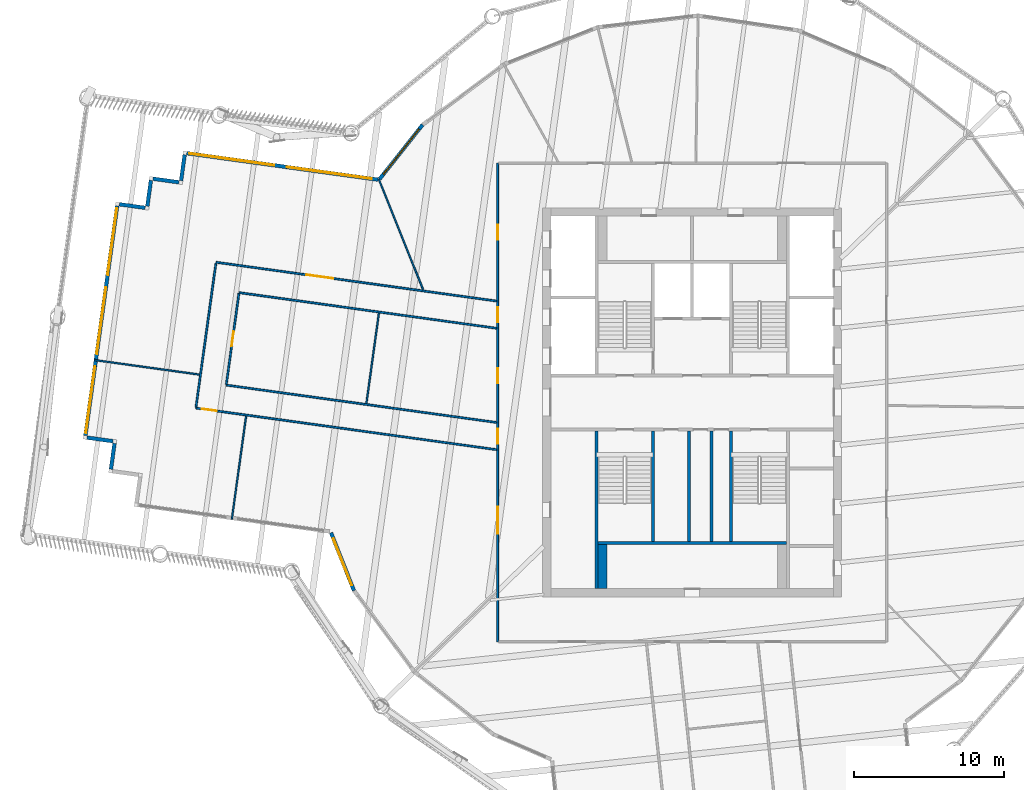
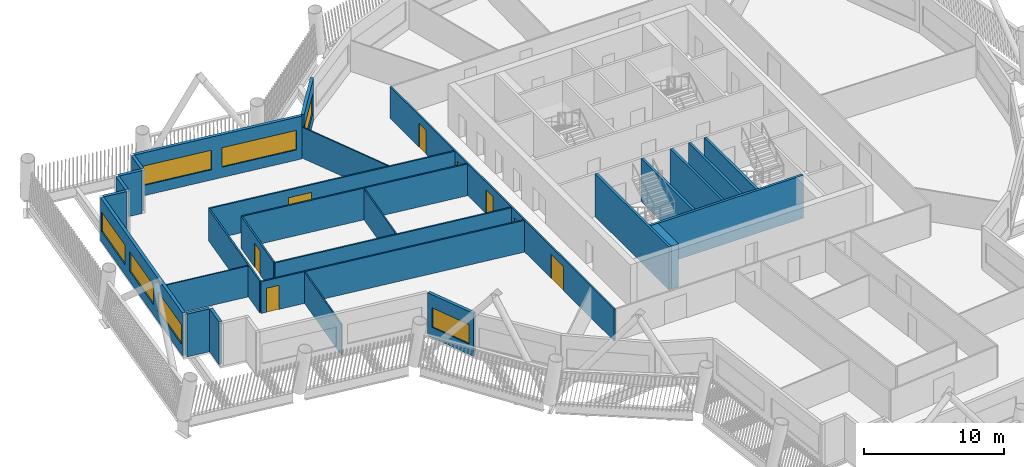
# One storey, part 4 of 21: 28 walls, 8 doors, 7 windows, 15 openings.
"""IFC4 building model written with IfcOpenShell, lengths in metres."""

from ifc_helpers import new_model, si_unit, direction, frame, frame_2d, origin, place, context, subcontext, project, spatial, rectangle, extrude, material, layer, layer_set, type_object, element, fill, save


model = new_model("IFC4")

# Units and contexts
model_context = context("Model", 3, precision=1e-05, world=origin(), true_north=direction((0.0, 1.0)))
body_context = subcontext(model_context, "Body", "Model", "MODEL_VIEW")
ifc_project = project(units=[si_unit("LENGTHUNIT", "METRE"), si_unit("AREAUNIT", "SQUARE_METRE"), si_unit("VOLUMEUNIT", "CUBIC_METRE"), si_unit("PLANEANGLEUNIT", "RADIAN"), si_unit("MASSUNIT", "GRAM", prefix="KILO")], contexts=[model_context])

# Site, building, storey
site_placement = place(None, origin())
site = spatial("IfcSite", under=ifc_project, at=site_placement, CompositionType="ELEMENT")
building_placement = place(site_placement, origin())
building = spatial("IfcBuilding", under=site, at=building_placement, Name="Tarsis Ring Headquarters", CompositionType="ELEMENT")
storey_placement = place(building_placement, frame((0.0, 0.0, 255.199951171875)))
storey = spatial("IfcBuildingStorey", under=building, at=storey_placement, Name="L59", CompositionType="ELEMENT", Elevation=255.199951171875)

# Walls
ifc_material_1 = material(Name="Blockwork", Category="masonry")
ifc_layer_1 = layer(ifc_material_1, 0.199951171875)
ifc_layer_set_1 = layer_set([ifc_layer_1], Name="Core blockwork wall 200")
wall_type_1 = type_object("IfcWallType", Name="Core blockwork wall 200", PredefinedType="PARTITIONING", material=ifc_layer_set_1)
for number, where, z_axis, x_axis, name in (
    (1, (-0.199951171875, -9.300048828125, 0.0), (0.0, 0.0, 1.0), (0.0, 1.0, 0.0), "Core partition SV1"),
    (2, (1.300048828125, -9.300048828125, 0.0), (0.0, 0.0, 1.0), (0.0, 1.0, 0.0), "Core partition SV2"),
):
    element("IfcWall", number, at=place(storey_placement, frame(where, z_axis=z_axis, x_axis=x_axis)), inside=storey, type_object=wall_type_1, Name=name, PredefinedType="PARTITIONING", context=body_context, shape_type="SweptSolid", body=[
        extrude(rectangle(XDim=7.400146484375, YDim=0.199951171875, at=frame_2d((3.7001953125, 0.0))), origin(), (0.0, 0.0, 1.0), 3.739990234375),
    ])
ifc_material_2 = material(Name="Gypsum board on steel studs", Category="steel")
ifc_layer_2 = layer(ifc_material_2, 0.10009765625)
ifc_layer_set_2 = layer_set([ifc_layer_2], Name="FL partition 100 unrated")
wall_type_2 = type_object("IfcWallType", Name="FL partition 100 unrated", PredefinedType="PARTITIONING", material=ifc_layer_set_2)
wall_1_placement = place(storey_placement, frame((-20.95263671875, 14.938720703125, 0.0), z_axis=(0.0, 0.0, 1.0), x_axis=(0.372503829115, -0.928030655364, 0.0)))
element("IfcWall", 3, at=wall_1_placement, inside=storey, type_object=wall_type_2, Name="Partition PW3", PredefinedType="PARTITIONING", context=body_context, shape_type="SweptSolid", body=[
    extrude(rectangle(XDim=7.976806640625, YDim=0.10009765625, at=frame_2d((3.98828125, 0.0))), origin(), (0.0, 0.0, 1.0), 2.699951171875),
])
wall_2_placement = place(storey_placement, frame((-39.938720703125, 2.832275390625, 0.0), z_axis=(0.0, 0.0, 1.0), x_axis=(0.990558165208, -0.137093111936, 0.0)))
element("IfcWall", 4, at=wall_2_placement, inside=storey, type_object=wall_type_2, Name="Partition PW3", PredefinedType="PARTITIONING", context=body_context, shape_type="SweptSolid", body=[
    extrude(rectangle(XDim=7.06982421875, YDim=0.10009765625, at=frame_2d((3.534912109375, 0.0))), origin(), (0.0, 0.0, 1.0), 2.699951171875),
])
wall_3_placement = place(storey_placement, frame((-30.7705078125, -7.80517578125, 0.0), z_axis=(0.0, 0.0, 1.0), x_axis=(0.137083692903, 0.990559468755, 0.0)))
element("IfcWall", 5, at=wall_3_placement, inside=storey, type_object=wall_type_2, Name="Partition PW3", PredefinedType="PARTITIONING", context=body_context, shape_type="SweptSolid", body=[
    extrude(rectangle(XDim=6.9599609375, YDim=0.10009765625, at=frame_2d((3.47998046875, 0.0))), origin(), (0.0, 0.0, 1.0), 2.699951171875),
])
wall_4_placement = place(storey_placement, frame((-21.774658203125, -0.0654296875, 0.0), z_axis=(0.0, 0.0, 1.0), x_axis=(0.137116809559, 0.990554885171, 0.0)))
element("IfcWall", 6, at=wall_4_placement, inside=storey, type_object=wall_type_2, Name="Partition PW3", PredefinedType="PARTITIONING", context=body_context, shape_type="SweptSolid", body=[
    extrude(rectangle(XDim=6.10009765625, YDim=0.10009765625, at=frame_2d((3.050048828125, 0.0))), origin(), (0.0, 0.0, 1.0), 2.699951171875),
])

# Wall, openings, doors
ifc_layer_3 = layer(ifc_material_2, 0.125)
ifc_layer_set_3 = layer_set([ifc_layer_3], Name="FL partition 125 EI 60 H2770")
wall_type_3 = type_object("IfcWallType", Name="FL partition 125 EI 60 H2770", PredefinedType="PARTITIONING", material=ifc_layer_set_3)
wall_5_placement = place(storey_placement, frame((-13.0, -16.0, 0.0), z_axis=(0.0, 0.0, 1.0), x_axis=(0.0, 1.0, 0.0)))
wall_5 = element("IfcWall", 7, at=wall_5_placement, inside=storey, type_object=wall_type_3, Name="Partition PW1", PredefinedType="PARTITIONING", context=body_context, shape_type="SweptSolid", body=[
    extrude(rectangle(XDim=32.0, YDim=0.125, at=frame_2d((16.0, 0.0))), origin(), (0.0, 0.0, 1.0), 2.77001953125),
])
opening_1_placement = place(wall_5_placement, frame((26.883056640625, 0.0, 0.0)))
opening_1 = element("IfcOpeningElement", 8, at=opening_1_placement, cuts=wall_5, Name="Opening D59.03", PredefinedType="OPENING", context=body_context, shape_type="SweptSolid", body=[
    extrude(rectangle(XDim=1.0, YDim=2.10009765625, at=frame_2d((0.5, 1.050048828125))), frame((0.0, 0.072509765625, 0.0), z_axis=(0.0, -1.0, 0.0), x_axis=(1.0, 0.0, 0.0)), (0.0, 0.0, 1.0), 0.14501953125),
])
opening_2_placement = place(wall_5_placement, frame((7.212890625, 0.0, 0.0)))
opening_2 = element("IfcOpeningElement", 9, at=opening_2_placement, cuts=wall_5, Name="Opening D59.12", PredefinedType="OPENING", context=body_context, shape_type="SweptSolid", body=[
    extrude(rectangle(XDim=1.800048828125, YDim=2.10009765625, at=frame_2d((0.89990234375, 1.050048828125))), frame((0.0, 0.072509765625, 0.0), z_axis=(0.0, -1.0, 0.0), x_axis=(1.0, 0.0, 0.0)), (0.0, 0.0, 1.0), 0.14501953125),
])
opening_3_placement = place(wall_5_placement, frame((17.29931640625, 0.0, 0.0)))
opening_3 = element("IfcOpeningElement", 10, at=opening_3_placement, cuts=wall_5, Name="Opening D59.13", PredefinedType="OPENING", context=body_context, shape_type="SweptSolid", body=[
    extrude(rectangle(XDim=1.0, YDim=2.10009765625, at=frame_2d((0.5, 1.050048828125))), frame((0.0, 0.072509765625, 0.0), z_axis=(0.0, -1.0, 0.0), x_axis=(1.0, 0.0, 0.0)), (0.0, 0.0, 1.0), 0.14501953125),
])
opening_4_placement = place(wall_5_placement, frame((13.240966796875, 0.0, 0.0)))
opening_4 = element("IfcOpeningElement", 11, at=opening_4_placement, cuts=wall_5, Name="Opening D59.19", PredefinedType="OPENING", context=body_context, shape_type="SweptSolid", body=[
    extrude(rectangle(XDim=1.0, YDim=2.10009765625, at=frame_2d((0.5, 1.050048828125))), frame((0.0, 0.072509765625, 0.0), z_axis=(0.0, -1.0, 0.0), x_axis=(1.0, 0.0, 0.0)), (0.0, 0.0, 1.0), 0.14501953125),
])
opening_5_placement = place(wall_5_placement, frame((21.357666015625, 0.0, 0.0)))
opening_5 = element("IfcOpeningElement", 12, at=opening_5_placement, cuts=wall_5, Name="Opening D59.20", PredefinedType="OPENING", context=body_context, shape_type="SweptSolid", body=[
    extrude(rectangle(XDim=1.0, YDim=2.10009765625, at=frame_2d((0.5, 1.050048828125))), frame((0.0, 0.072509765625, 0.0), z_axis=(0.0, -1.0, 0.0), x_axis=(1.0, 0.0, 0.0)), (0.0, 0.0, 1.0), 0.14501953125),
])
ifc_material_3 = material(Name="Fire-rated timber door leaf in steel frame", Category="steel")
door_type_1 = type_object("IfcDoorType", Name="FL door FD60-1000", OperationType="NOTDEFINED", PredefinedType="DOOR", material=ifc_material_3)
door_1_placement = place(opening_1_placement, origin())
door_1 = element("IfcDoor", 13, at=door_1_placement, inside=storey, type_object=door_type_1, Name="Door D59.03", OperationType="SINGLE_SWING_RIGHT", OverallHeight=2.10009765625, OverallWidth=1.0, PredefinedType="DOOR", context=body_context, shape_type="SweptSolid", body=[
    extrude(rectangle(XDim=1.0, YDim=2.10009765625, at=frame_2d((0.5, 1.050048828125))), frame((0.0, 0.02490234375, 0.0), z_axis=(0.0, -1.0, 0.0), x_axis=(1.0, 0.0, 0.0)), (0.0, 0.0, 1.0), 0.050048828125),
])
fill(opening_1, door_1)
door_2_placement = place(opening_3_placement, origin())
door_2 = element("IfcDoor", 14, at=door_2_placement, inside=storey, type_object=door_type_1, Name="Door D59.13", OperationType="SINGLE_SWING_RIGHT", OverallHeight=2.10009765625, OverallWidth=1.0, PredefinedType="DOOR", context=body_context, shape_type="SweptSolid", body=[
    extrude(rectangle(XDim=1.0, YDim=2.10009765625, at=frame_2d((0.5, 1.050048828125))), frame((0.0, 0.02490234375, 0.0), z_axis=(0.0, -1.0, 0.0), x_axis=(1.0, 0.0, 0.0)), (0.0, 0.0, 1.0), 0.050048828125),
])
fill(opening_3, door_2)
door_3_placement = place(opening_4_placement, origin())
door_3 = element("IfcDoor", 15, at=door_3_placement, inside=storey, type_object=door_type_1, Name="Door D59.19", OperationType="SINGLE_SWING_RIGHT", OverallHeight=2.10009765625, OverallWidth=1.0, PredefinedType="DOOR", context=body_context, shape_type="SweptSolid", body=[
    extrude(rectangle(XDim=1.0, YDim=2.10009765625, at=frame_2d((0.5, 1.050048828125))), frame((0.0, 0.02490234375, 0.0), z_axis=(0.0, -1.0, 0.0), x_axis=(1.0, 0.0, 0.0)), (0.0, 0.0, 1.0), 0.050048828125),
])
fill(opening_4, door_3)
door_4_placement = place(opening_5_placement, origin())
door_4 = element("IfcDoor", 16, at=door_4_placement, inside=storey, type_object=door_type_1, Name="Door D59.20", OperationType="SINGLE_SWING_LEFT", OverallHeight=2.10009765625, OverallWidth=1.0, PredefinedType="DOOR", context=body_context, shape_type="SweptSolid", body=[
    extrude(rectangle(XDim=1.0, YDim=2.10009765625, at=frame_2d((0.5, 1.050048828125))), frame((0.0, 0.02490234375, 0.0), z_axis=(0.0, -1.0, 0.0), x_axis=(1.0, 0.0, 0.0)), (0.0, 0.0, 1.0), 0.050048828125),
])
fill(opening_5, door_4)
door_type_2 = type_object("IfcDoorType", Name="FL door FD60-1800", OperationType="DOUBLE_DOOR_SINGLE_SWING", PredefinedType="DOOR", material=ifc_material_3)
door_5_placement = place(opening_2_placement, origin())
door_5 = element("IfcDoor", 17, at=door_5_placement, inside=storey, type_object=door_type_2, Name="Door D59.12", OperationType="DOUBLE_DOOR_SINGLE_SWING", OverallHeight=2.10009765625, OverallWidth=1.800048828125, PredefinedType="DOOR", context=body_context, shape_type="SweptSolid", body=[
    extrude(rectangle(XDim=1.800048828125, YDim=2.10009765625, at=frame_2d((0.89990234375, 1.050048828125))), frame((0.0, 0.02490234375, 0.0), z_axis=(0.0, -1.0, 0.0), x_axis=(1.0, 0.0, 0.0)), (0.0, 0.0, 1.0), 0.050048828125),
])
fill(opening_2, door_5)

# Wall, opening, door
wall_6_placement = place(storey_placement, frame((-33.1748046875, -0.375244140625, 0.0), z_axis=(0.0, 0.0, 1.0), x_axis=(0.990557357158, -0.137098950322, 0.0)))
wall_6 = element("IfcWall", 18, at=wall_6_placement, inside=storey, type_object=wall_type_3, Name="Partition PW1", PredefinedType="PARTITIONING", context=body_context, shape_type="SweptSolid", body=[
    extrude(rectangle(XDim=20.297119140625, YDim=0.125, at=frame_2d((10.1484375, 0.0))), origin(), (0.0, 0.0, 1.0), 2.77001953125),
])
opening_6_placement = place(wall_6_placement, frame((0.39990234375, 0.0, 0.0)))
opening_6 = element("IfcOpeningElement", 19, at=opening_6_placement, cuts=wall_6, Name="Opening D59.01", PredefinedType="OPENING", context=body_context, shape_type="SweptSolid", body=[
    extrude(rectangle(XDim=1.0, YDim=2.10009765625, at=frame_2d((0.5, 1.050048828125))), frame((0.0, 0.072509765625, 0.0), z_axis=(0.0, -1.0, 0.0), x_axis=(1.0, 0.0, 0.0)), (0.0, 0.0, 1.0), 0.14501953125),
])
door_6_placement = place(opening_6_placement, origin())
door_6 = element("IfcDoor", 20, at=door_6_placement, inside=storey, type_object=door_type_1, Name="Door D59.01", OperationType="SINGLE_SWING_RIGHT", OverallHeight=2.10009765625, OverallWidth=1.0, PredefinedType="DOOR", context=body_context, shape_type="SweptSolid", body=[
    extrude(rectangle(XDim=1.0, YDim=2.10009765625, at=frame_2d((0.5, 1.050048828125))), frame((0.0, 0.02490234375, 0.0), z_axis=(0.0, -1.0, 0.0), x_axis=(1.0, 0.0, 0.0)), (0.0, 0.0, 1.0), 0.050048828125),
])
fill(opening_6, door_6)

wall_7_placement = place(storey_placement, frame((-31.82568359375, 9.371826171875, 0.0), z_axis=(0.0, 0.0, 1.0), x_axis=(0.990557653383, -0.137096810044, 0.0)))
wall_7 = element("IfcWall", 21, at=wall_7_placement, inside=storey, type_object=wall_type_3, Name="Partition PW1", PredefinedType="PARTITIONING", context=body_context, shape_type="SweptSolid", body=[
    extrude(rectangle(XDim=18.93505859375, YDim=0.125, at=frame_2d((9.467529296875, 0.0))), origin(), (0.0, 0.0, 1.0), 2.77001953125),
])
opening_7_placement = place(wall_7_placement, frame((6.10400390625, 0.0, 0.0)))
opening_7 = element("IfcOpeningElement", 22, at=opening_7_placement, cuts=wall_7, Name="Opening D59.02", PredefinedType="OPENING", context=body_context, shape_type="SweptSolid", body=[
    extrude(rectangle(XDim=1.800048828125, YDim=2.10009765625, at=frame_2d((0.89990234375, 1.050048828125))), frame((0.0, 0.072509765625, 0.0), z_axis=(0.0, -1.0, 0.0), x_axis=(1.0, 0.0, 0.0)), (0.0, 0.0, 1.0), 0.14501953125),
])
door_7_placement = place(opening_7_placement, origin())
door_7 = element("IfcDoor", 23, at=door_7_placement, inside=storey, type_object=door_type_2, Name="Door D59.02", OperationType="DOUBLE_DOOR_SINGLE_SWING", OverallHeight=2.10009765625, OverallWidth=1.800048828125, PredefinedType="DOOR", context=body_context, shape_type="SweptSolid", body=[
    extrude(rectangle(XDim=1.800048828125, YDim=2.10009765625, at=frame_2d((0.89990234375, 1.050048828125))), frame((0.0, 0.02490234375, 0.0), z_axis=(0.0, -1.0, 0.0), x_axis=(1.0, 0.0, 0.0)), (0.0, 0.0, 1.0), 0.050048828125),
])
fill(opening_7, door_7)

# Walls
wall_8_placement = place(storey_placement, frame((-31.14501953125, 1.160888671875, 0.0), z_axis=(0.0, 0.0, 1.0), x_axis=(0.990557890635, -0.137095095834, 0.0)))
element("IfcWall", 24, at=wall_8_placement, inside=storey, type_object=wall_type_3, Name="Partition PW1", PredefinedType="PARTITIONING", context=body_context, shape_type="SweptSolid", body=[
    extrude(rectangle(XDim=18.248046875, YDim=0.125, at=frame_2d((9.1240234375, 0.0))), origin(), (0.0, 0.0, 1.0), 2.77001953125),
])
wall_9_placement = place(storey_placement, frame((-30.289306640625, 7.342041015625, 0.0), z_axis=(0.0, 0.0, 1.0), x_axis=(0.990555795182, -0.137110235328, 0.0)))
element("IfcWall", 25, at=wall_9_placement, inside=storey, type_object=wall_type_3, Name="Partition PW1", PredefinedType="PARTITIONING", context=body_context, shape_type="SweptSolid", body=[
    extrude(rectangle(XDim=17.384033203125, YDim=0.125, at=frame_2d((8.69189453125, 0.0))), origin(), (0.0, 0.0, 1.0), 2.77001953125),
])
wall_10_placement = place(storey_placement, frame((-33.16650390625, -0.31591796875, 0.0), z_axis=(0.0, 0.0, 1.0), x_axis=(0.137091256119, 0.990558422051, 0.0)))
element("IfcWall", 26, at=wall_10_placement, inside=storey, type_object=wall_type_3, Name="Partition PW1", PredefinedType="PARTITIONING", context=body_context, shape_type="SweptSolid", body=[
    extrude(rectangle(XDim=9.719970703125, YDim=0.125, at=frame_2d((4.85986328125, 0.0))), origin(), (0.0, 0.0, 1.0), 2.77001953125),
])

# Wall, opening, door
wall_11_placement = place(storey_placement, frame((-31.13671875, 1.22021484375, 0.0), z_axis=(0.0, 0.0, 1.0), x_axis=(0.137108497238, 0.990556035762, 0.0)))
wall_11 = element("IfcWall", 27, at=wall_11_placement, inside=storey, type_object=wall_type_3, Name="Partition PW1", PredefinedType="PARTITIONING", context=body_context, shape_type="SweptSolid", body=[
    extrude(rectangle(XDim=6.1201171875, YDim=0.125, at=frame_2d((3.06005859375, 0.0))), origin(), (0.0, 0.0, 1.0), 2.77001953125),
])
opening_8_placement = place(wall_11_placement, frame((2.56005859375, 0.0, 0.0)))
opening_8 = element("IfcOpeningElement", 28, at=opening_8_placement, cuts=wall_11, Name="Opening D59.14", PredefinedType="OPENING", context=body_context, shape_type="SweptSolid", body=[
    extrude(rectangle(XDim=1.0, YDim=2.10009765625, at=frame_2d((0.5, 1.050048828125))), frame((0.0, 0.072509765625, 0.0), z_axis=(0.0, -1.0, 0.0), x_axis=(1.0, 0.0, 0.0)), (0.0, 0.0, 1.0), 0.14501953125),
])
door_8_placement = place(opening_8_placement, origin())
door_8 = element("IfcDoor", 29, at=door_8_placement, inside=storey, type_object=door_type_1, Name="Door D59.14", OperationType="SINGLE_SWING_LEFT", OverallHeight=2.10009765625, OverallWidth=1.0, PredefinedType="DOOR", context=body_context, shape_type="SweptSolid", body=[
    extrude(rectangle(XDim=1.0, YDim=2.10009765625, at=frame_2d((0.5, 1.050048828125))), frame((0.0, 0.02490234375, 0.0), z_axis=(0.0, -1.0, 0.0), x_axis=(1.0, 0.0, 0.0)), (0.0, 0.0, 1.0), 0.050048828125),
])
fill(opening_8, door_8)

# Wall, opening, window
ifc_material_4 = material(Name="Terracotta clad insulated panel wall", Category="masonry")
ifc_layer_4 = layer(ifc_material_4, 0.25)
ifc_layer_set_4 = layer_set([ifc_layer_4], Name="Facade wall terracotta panel 250")
wall_type_4 = type_object("IfcWallType", Name="Facade wall terracotta panel 250", PredefinedType="STANDARD", material=ifc_layer_set_4)
wall_12_placement = place(storey_placement, frame((-24.141357421875, -8.7109375, 0.0), z_axis=(0.0, 0.0, 1.0), x_axis=(0.368432360109, -0.929654557362, 0.0)))
wall_12 = element("IfcWall", 30, at=wall_12_placement, inside=storey, type_object=wall_type_4, Name="External wall L59-02", PredefinedType="STANDARD", context=body_context, shape_type="SweptSolid", body=[
    extrude(rectangle(XDim=4.157470703125, YDim=0.25, at=frame_2d((2.07861328125, 0.0))), origin(), (0.0, 0.0, 1.0), 3.739990234375),
])
opening_9_placement = place(wall_12_placement, frame((0.420166015625, 0.0, 0.89990234375)))
opening_9 = element("IfcOpeningElement", 31, at=opening_9_placement, cuts=wall_12, Name="Opening WN01", PredefinedType="OPENING", context=body_context, shape_type="SweptSolid", body=[
    extrude(rectangle(XDim=3.35009765625, YDim=1.699951171875, at=frame_2d((1.675048828125, 0.85009765625))), frame((0.0, 0.135009765625, 0.0), z_axis=(0.0, -1.0, 0.0), x_axis=(1.0, 0.0, 0.0)), (0.0, 0.0, 1.0), 0.27001953125),
])
ifc_material_5 = material(Name="Aluminium framed double glazing", Category="aluminium")
window_type_1 = type_object("IfcWindowType", Name="Facade window 3350 x 1700", PartitioningType="SINGLE_PANEL", PredefinedType="WINDOW", material=ifc_material_5)
window_1_placement = place(opening_9_placement, origin())
window_1 = element("IfcWindow", 32, at=window_1_placement, inside=storey, type_object=window_type_1, Name="Window L59-02.1", OverallHeight=1.699951171875, OverallWidth=3.35009765625, PartitioningType="SINGLE_PANEL", PredefinedType="WINDOW", context=body_context, shape_type="SweptSolid", body=[
    extrude(rectangle(XDim=3.35009765625, YDim=1.699951171875, at=frame_2d((1.675048828125, 0.85009765625))), frame((0.0, 0.030029296875, 0.0), z_axis=(0.0, -1.0, 0.0), x_axis=(1.0, 0.0, 0.0)), (0.0, 0.0, 1.0), 0.06005859375),
])
fill(opening_9, window_1)

wall_13_placement = place(storey_placement, frame((-18.022705078125, 18.5615234375, 0.0), z_axis=(0.0, 0.0, 1.0), x_axis=(-0.620896572494, -0.783892496625, 0.0)))
wall_13 = element("IfcWall", 33, at=wall_13_placement, inside=storey, type_object=wall_type_4, Name="External wall L59-30", PredefinedType="STANDARD", context=body_context, shape_type="SweptSolid", body=[
    extrude(rectangle(XDim=4.617919921875, YDim=0.25, at=frame_2d((2.30908203125, 0.0))), origin(), (0.0, 0.0, 1.0), 3.739990234375),
])
opening_10_placement = place(wall_13_placement, frame((0.367431640625, 0.0, 0.89990234375)))
opening_10 = element("IfcOpeningElement", 34, at=opening_10_placement, cuts=wall_13, Name="Opening WN02", PredefinedType="OPENING", context=body_context, shape_type="SweptSolid", body=[
    extrude(rectangle(XDim=3.85009765625, YDim=1.699951171875, at=frame_2d((1.925048828125, 0.85009765625))), frame((0.0, 0.135009765625, 0.0), z_axis=(0.0, -1.0, 0.0), x_axis=(1.0, 0.0, 0.0)), (0.0, 0.0, 1.0), 0.27001953125),
])
window_type_2 = type_object("IfcWindowType", Name="Facade window 3850 x 1700", PartitioningType="SINGLE_PANEL", PredefinedType="WINDOW", material=ifc_material_5)
window_2_placement = place(opening_10_placement, origin())
window_2 = element("IfcWindow", 35, at=window_2_placement, inside=storey, type_object=window_type_2, Name="Window L59-30.1", OverallHeight=1.699951171875, OverallWidth=3.85009765625, PartitioningType="SINGLE_PANEL", PredefinedType="WINDOW", context=body_context, shape_type="SweptSolid", body=[
    extrude(rectangle(XDim=3.85009765625, YDim=1.699951171875, at=frame_2d((1.925048828125, 0.85009765625))), frame((0.0, 0.030029296875, 0.0), z_axis=(0.0, -1.0, 0.0), x_axis=(1.0, 0.0, 0.0)), (0.0, 0.0, 1.0), 0.06005859375),
])
fill(opening_10, window_2)

# Wall, openings, windows
wall_14_placement = place(storey_placement, frame((-21.0048828125, 14.8955078125, 0.0), z_axis=(0.0, 0.0, 1.0), x_axis=(-0.990559554655, 0.137083072193, 0.0)))
wall_14 = element("IfcWall", 36, at=wall_14_placement, inside=storey, type_object=wall_type_4, Name="External wall L59-31", PredefinedType="STANDARD", context=body_context, shape_type="SweptSolid", body=[
    extrude(rectangle(XDim=12.9013671875, YDim=0.25, at=frame_2d((6.45068359375, 0.0))), origin(), (0.0, 0.0, 1.0), 3.739990234375),
])
opening_11_placement = place(wall_14_placement, frame((0.412841796875, 0.0, 0.89990234375)))
opening_11 = element("IfcOpeningElement", 37, at=opening_11_placement, cuts=wall_14, Name="Opening WN06", PredefinedType="OPENING", context=body_context, shape_type="SweptSolid", body=[
    extrude(rectangle(XDim=5.75, YDim=1.699951171875, at=frame_2d((2.875, 0.85009765625))), frame((0.0, 0.135009765625, 0.0), z_axis=(0.0, -1.0, 0.0), x_axis=(1.0, 0.0, 0.0)), (0.0, 0.0, 1.0), 0.27001953125),
])
opening_12_placement = place(wall_14_placement, frame((6.988525390625, 0.0, 0.89990234375)))
opening_12 = element("IfcOpeningElement", 38, at=opening_12_placement, cuts=wall_14, Name="Opening WN06", PredefinedType="OPENING", context=body_context, shape_type="SweptSolid", body=[
    extrude(rectangle(XDim=5.75, YDim=1.699951171875, at=frame_2d((2.875, 0.85009765625))), frame((0.0, 0.135009765625, 0.0), z_axis=(0.0, -1.0, 0.0), x_axis=(1.0, 0.0, 0.0)), (0.0, 0.0, 1.0), 0.27001953125),
])
window_type_3 = type_object("IfcWindowType", Name="Facade window 5750 x 1700", PartitioningType="SINGLE_PANEL", PredefinedType="WINDOW", material=ifc_material_5)
window_3_placement = place(opening_11_placement, origin())
window_3 = element("IfcWindow", 39, at=window_3_placement, inside=storey, type_object=window_type_3, Name="Window L59-31.1", OverallHeight=1.699951171875, OverallWidth=5.75, PartitioningType="SINGLE_PANEL", PredefinedType="WINDOW", context=body_context, shape_type="SweptSolid", body=[
    extrude(rectangle(XDim=5.75, YDim=1.699951171875, at=frame_2d((2.875, 0.85009765625))), frame((0.0, 0.030029296875, 0.0), z_axis=(0.0, -1.0, 0.0), x_axis=(1.0, 0.0, 0.0)), (0.0, 0.0, 1.0), 0.06005859375),
])
fill(opening_11, window_3)
window_4_placement = place(opening_12_placement, origin())
window_4 = element("IfcWindow", 40, at=window_4_placement, inside=storey, type_object=window_type_3, Name="Window L59-31.2", OverallHeight=1.699951171875, OverallWidth=5.75, PartitioningType="SINGLE_PANEL", PredefinedType="WINDOW", context=body_context, shape_type="SweptSolid", body=[
    extrude(rectangle(XDim=5.75, YDim=1.699951171875, at=frame_2d((2.875, 0.85009765625))), frame((0.0, 0.030029296875, 0.0), z_axis=(0.0, -1.0, 0.0), x_axis=(1.0, 0.0, 0.0)), (0.0, 0.0, 1.0), 0.06005859375),
])
fill(opening_12, window_4)

# Walls
wall_15_placement = place(storey_placement, frame((-33.92529296875, 16.557373046875, 0.0), z_axis=(0.0, 0.0, 1.0), x_axis=(-0.137142528477, -0.990551324709, 0.0)))
element("IfcWall", 41, at=wall_15_placement, inside=storey, type_object=wall_type_4, Name="External wall L59-32", PredefinedType="STANDARD", context=body_context, shape_type="SweptSolid", body=[
    extrude(rectangle(XDim=1.75, YDim=0.25, at=frame_2d((0.875, 0.0))), origin(), (0.0, 0.0, 1.0), 3.739990234375),
])
wall_16_placement = place(storey_placement, frame((-34.30615234375, 14.71728515625, 0.0), z_axis=(0.0, 0.0, 1.0), x_axis=(-0.99055394816, 0.137123578516, 0.0)))
element("IfcWall", 42, at=wall_16_placement, inside=storey, type_object=wall_type_4, Name="External wall L59-33", PredefinedType="STANDARD", context=body_context, shape_type="SweptSolid", body=[
    extrude(rectangle(XDim=1.750244140625, YDim=0.25, at=frame_2d((0.875, 0.0))), origin(), (0.0, 0.0, 1.0), 3.739990234375),
])
for number, where, z_axis, x_axis, name in (
    (43, (-36.1806640625, 14.8505859375, 0.0), (0.0, 0.0, 1.0), (-0.137142528477, -0.990551324709, 0.0), "External wall L59-34"),
    (44, (-36.5615234375, 13.010498046875, 0.0), (0.0, 0.0, 1.0), (-0.990570268167, 0.137005634273, 0.0), "External wall L59-35"),
):
    element("IfcWall", number, at=place(storey_placement, frame(where, z_axis=z_axis, x_axis=x_axis)), inside=storey, type_object=wall_type_4, Name=name, PredefinedType="STANDARD", context=body_context, shape_type="SweptSolid", body=[
        extrude(rectangle(XDim=1.75, YDim=0.25, at=frame_2d((0.875, 0.0))), origin(), (0.0, 0.0, 1.0), 3.739990234375),
    ])

# Wall, openings, windows
wall_17_placement = place(storey_placement, frame((-38.43603515625, 13.1435546875, 0.0), z_axis=(0.0, 0.0, 1.0), x_axis=(-0.137097896362, -0.990557503032, 0.0)))
wall_17 = element("IfcWall", 45, at=wall_17_placement, inside=storey, type_object=wall_type_4, Name="External wall L59-36", PredefinedType="STANDARD", context=body_context, shape_type="SweptSolid", body=[
    extrude(rectangle(XDim=15.499755859375, YDim=0.25, at=frame_2d((7.75, 0.0))), origin(), (0.0, 0.0, 1.0), 3.739990234375),
])
opening_13_placement = place(wall_17_placement, frame((0.166748046875, 0.0, 0.89990234375)))
opening_13 = element("IfcOpeningElement", 46, at=opening_13_placement, cuts=wall_17, Name="Opening WN04", PredefinedType="OPENING", context=body_context, shape_type="SweptSolid", body=[
    extrude(rectangle(XDim=4.5, YDim=1.699951171875, at=frame_2d((2.25, 0.85009765625))), frame((0.0, 0.135009765625, 0.0), z_axis=(0.0, -1.0, 0.0), x_axis=(1.0, 0.0, 0.0)), (0.0, 0.0, 1.0), 0.27001953125),
])
opening_14_placement = place(wall_17_placement, frame((5.5, 0.0, 0.89990234375)))
opening_14 = element("IfcOpeningElement", 47, at=opening_14_placement, cuts=wall_17, Name="Opening WN04", PredefinedType="OPENING", context=body_context, shape_type="SweptSolid", body=[
    extrude(rectangle(XDim=4.5, YDim=1.699951171875, at=frame_2d((2.25, 0.85009765625))), frame((0.0, 0.135009765625, 0.0), z_axis=(0.0, -1.0, 0.0), x_axis=(1.0, 0.0, 0.0)), (0.0, 0.0, 1.0), 0.27001953125),
])
opening_15_placement = place(wall_17_placement, frame((10.833251953125, 0.0, 0.89990234375)))
opening_15 = element("IfcOpeningElement", 48, at=opening_15_placement, cuts=wall_17, Name="Opening WN04", PredefinedType="OPENING", context=body_context, shape_type="SweptSolid", body=[
    extrude(rectangle(XDim=4.5, YDim=1.699951171875, at=frame_2d((2.25, 0.85009765625))), frame((0.0, 0.135009765625, 0.0), z_axis=(0.0, -1.0, 0.0), x_axis=(1.0, 0.0, 0.0)), (0.0, 0.0, 1.0), 0.27001953125),
])
window_type_4 = type_object("IfcWindowType", Name="Facade window 4500 x 1700", PartitioningType="SINGLE_PANEL", PredefinedType="WINDOW", material=ifc_material_5)
window_5_placement = place(opening_13_placement, origin())
window_5 = element("IfcWindow", 49, at=window_5_placement, inside=storey, type_object=window_type_4, Name="Window L59-36.1", OverallHeight=1.699951171875, OverallWidth=4.5, PartitioningType="SINGLE_PANEL", PredefinedType="WINDOW", context=body_context, shape_type="SweptSolid", body=[
    extrude(rectangle(XDim=4.5, YDim=1.699951171875, at=frame_2d((2.25, 0.85009765625))), frame((0.0, 0.030029296875, 0.0), z_axis=(0.0, -1.0, 0.0), x_axis=(1.0, 0.0, 0.0)), (0.0, 0.0, 1.0), 0.06005859375),
])
fill(opening_13, window_5)
window_6_placement = place(opening_14_placement, origin())
window_6 = element("IfcWindow", 50, at=window_6_placement, inside=storey, type_object=window_type_4, Name="Window L59-36.2", OverallHeight=1.699951171875, OverallWidth=4.5, PartitioningType="SINGLE_PANEL", PredefinedType="WINDOW", context=body_context, shape_type="SweptSolid", body=[
    extrude(rectangle(XDim=4.5, YDim=1.699951171875, at=frame_2d((2.25, 0.85009765625))), frame((0.0, 0.030029296875, 0.0), z_axis=(0.0, -1.0, 0.0), x_axis=(1.0, 0.0, 0.0)), (0.0, 0.0, 1.0), 0.06005859375),
])
fill(opening_14, window_6)
window_7_placement = place(opening_15_placement, origin())
window_7 = element("IfcWindow", 51, at=window_7_placement, inside=storey, type_object=window_type_4, Name="Window L59-36.3", OverallHeight=1.699951171875, OverallWidth=4.5, PartitioningType="SINGLE_PANEL", PredefinedType="WINDOW", context=body_context, shape_type="SweptSolid", body=[
    extrude(rectangle(XDim=4.5, YDim=1.699951171875, at=frame_2d((2.25, 0.85009765625))), frame((0.0, 0.030029296875, 0.0), z_axis=(0.0, -1.0, 0.0), x_axis=(1.0, 0.0, 0.0)), (0.0, 0.0, 1.0), 0.06005859375),
])
fill(opening_15, window_7)

# Walls
for number, where, z_axis, x_axis, name in (
    (52, (-40.454345703125, -2.35107421875, 0.0), (0.0, 0.0, 1.0), (0.990570268167, -0.137005634273, 0.0), "External wall L59-37"),
    (53, (-38.6142578125, -2.73193359375, 0.0), (0.0, 0.0, 1.0), (-0.137005634273, -0.990570268167, 0.0), "External wall L59-38"),
):
    element("IfcWall", number, at=place(storey_placement, frame(where, z_axis=z_axis, x_axis=x_axis)), inside=storey, type_object=wall_type_4, Name=name, PredefinedType="STANDARD", context=body_context, shape_type="SweptSolid", body=[
        extrude(rectangle(XDim=1.75, YDim=0.25, at=frame_2d((0.875, 0.0))), origin(), (0.0, 0.0, 1.0), 3.739990234375),
    ])
ifc_material_6 = material(Name="Concrete C32/40", Category="concrete")
ifc_layer_5 = layer(ifc_material_6, 0.60009765625)
ifc_layer_set_5 = layer_set([ifc_layer_5], Name="Shaft end wall 600 C32/40")
wall_type_5 = type_object("IfcWallType", Name="Shaft end wall 600 C32/40", PredefinedType="SOLIDWALL", material=ifc_layer_set_5)
wall_18_placement = place(storey_placement, frame((-6.0, -12.449951171875, 0.0), z_axis=(0.0, 0.0, 1.0), x_axis=(0.0, 1.0, 0.0)))
element("IfcWall", 54, at=wall_18_placement, inside=storey, type_object=wall_type_5, Name="Core shaft wall SNE1", PredefinedType="SOLIDWALL", context=body_context, shape_type="SweptSolid", body=[
    extrude(rectangle(XDim=2.949951171875, YDim=0.60009765625, at=frame_2d((1.47509765625, 0.0))), origin(), (0.0, 0.0, 1.0), 3.739990234375),
])
ifc_layer_6 = layer(ifc_material_6, 0.199951171875)
ifc_layer_set_6 = layer_set([ifc_layer_6], Name="Shaft wall 200 C32/40")
wall_type_6 = type_object("IfcWallType", Name="Shaft wall 200 C32/40", PredefinedType="SOLIDWALL", material=ifc_layer_set_6)
wall_19_placement = place(storey_placement, frame((-6.39990234375, -12.449951171875, 0.0), z_axis=(0.0, 0.0, 1.0), x_axis=(0.0, 1.0, 0.0)))
element("IfcWall", 55, at=wall_19_placement, inside=storey, type_object=wall_type_6, Name="Core shaft wall WB1", PredefinedType="SOLIDWALL", context=body_context, shape_type="SweptSolid", body=[
    extrude(rectangle(XDim=10.550048828125, YDim=0.199951171875, at=frame_2d((5.27490234375, 0.0))), origin(), (0.0, 0.0, 1.0), 3.739990234375),
])
wall_20_placement = place(storey_placement, frame((-6.300048828125, -9.39990234375, 0.0), z_axis=(0.0, 0.0, 1.0), x_axis=(1.0, 0.0, 0.0)))
element("IfcWall", 56, at=wall_20_placement, inside=storey, type_object=wall_type_6, Name="Core shaft wall SB", PredefinedType="SOLIDWALL", context=body_context, shape_type="SweptSolid", body=[
    extrude(rectangle(XDim=12.60009765625, YDim=0.199951171875, at=frame_2d((6.300048828125, 0.0))), origin(), (0.0, 0.0, 1.0), 3.739990234375),
])
for number, where, z_axis, x_axis, name in (
    (57, (-2.60009765625, -9.300048828125, 0.0), (0.0, 0.0, 1.0), (0.0, 1.0, 0.0), "Core shaft wall SW3"),
    (58, (2.60009765625, -9.300048828125, 0.0), (0.0, 0.0, 1.0), (0.0, 1.0, 0.0), "Core shaft wall SW4"),
):
    element("IfcWall", number, at=place(storey_placement, frame(where, z_axis=z_axis, x_axis=x_axis)), inside=storey, type_object=wall_type_6, Name=name, PredefinedType="SOLIDWALL", context=body_context, shape_type="SweptSolid", body=[
        extrude(rectangle(XDim=7.400146484375, YDim=0.199951171875, at=frame_2d((3.7001953125, 0.0))), origin(), (0.0, 0.0, 1.0), 3.739990234375),
    ])

save(model, "model.ifc")
